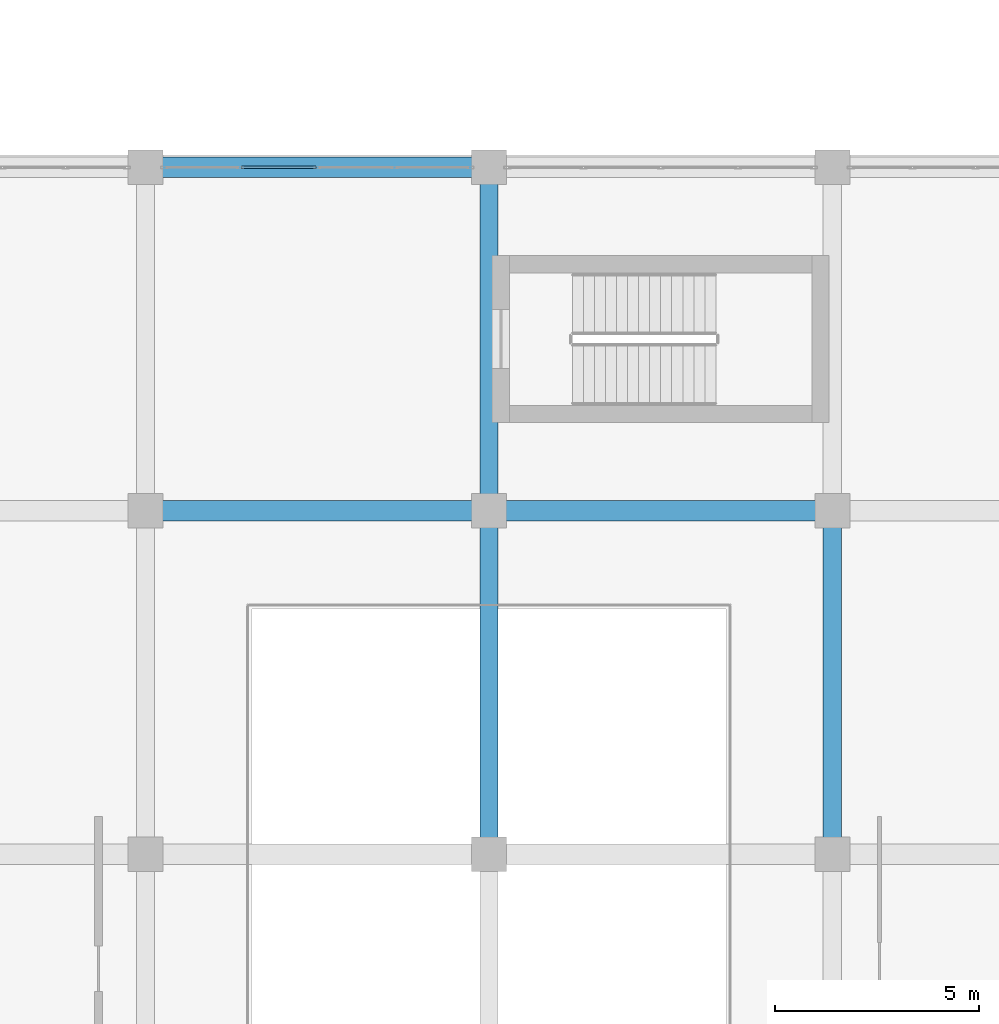
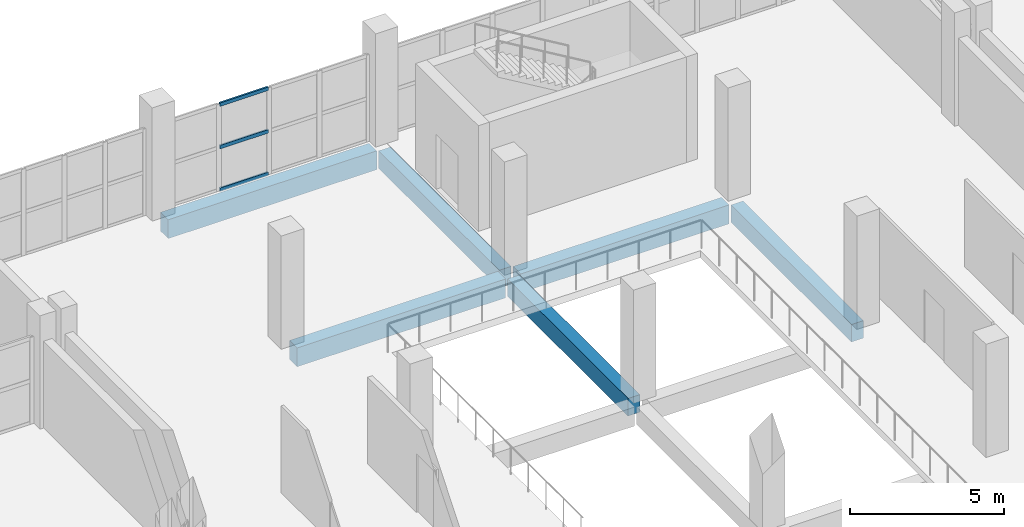
# One storey, part 68 of 137: 6 beams, 3 members, 1 element without a shape of its own.
"""IFC4 building model written with IfcOpenShell, lengths in metres."""

from ifc_helpers import new_model, si_unit, direction, frame, origin, origin_2d, place, context, subcontext, project, spatial, rectangle, hollow_rectangle, extrude, material, layer, layer_set, material_profile, profile_set, type_object, element, aggregate, save


model = new_model("IFC4")

# Units and contexts
model_context = context("Model", 3, precision=1e-05, world=origin(), true_north=direction((0.0, 1.0)))
body_context = subcontext(model_context, "Body", "Model", "MODEL_VIEW")
ifc_project = project(units=[si_unit("LENGTHUNIT", "METRE"), si_unit("AREAUNIT", "SQUARE_METRE"), si_unit("VOLUMEUNIT", "CUBIC_METRE"), si_unit("PLANEANGLEUNIT", "RADIAN"), si_unit("MASSUNIT", "GRAM", prefix="KILO")], contexts=[model_context])

# Site, building, storey
site_placement = place(None, origin())
site = spatial("IfcSite", under=ifc_project, at=site_placement, CompositionType="ELEMENT")
building_placement = place(site_placement, origin())
building = spatial("IfcBuilding", under=site, at=building_placement, Name="Xazarin Passage Department Store", CompositionType="ELEMENT")
storey_placement = place(building_placement, frame((0.0, 0.0, 5.39990234375)))
storey = spatial("IfcBuildingStorey", under=building, at=storey_placement, Name="L01", CompositionType="ELEMENT", Elevation=5.39990234375)

# Curtain wall, members
ifc_material_1 = material(Name="Bronze anodised aluminium", Category="aluminium")
ifc_layer = layer(ifc_material_1, 0.169921875)
ifc_layer_set = layer_set([ifc_layer], Name="Bronze anodised aluminium")
curtain_wall_type = type_object("IfcCurtainWallType", Name="ARC-CW-ARC2", PredefinedType="NOTDEFINED", material=ifc_layer_set)
curtain_wall_placement = place(storey_placement, origin())
curtain_wall = element("IfcCurtainWall", 1, at=curtain_wall_placement, inside=storey, type_object=curtain_wall_type, Name="L01 V2N Curtain Wall 111", PredefinedType="NOTDEFINED")
ifc_material_profile_1 = material_profile(ifc_material_1, hollow_rectangle(XDim=0.06494140625, YDim=0.139892578125, WallThickness=0.00390625, at=origin_2d()), Name="ALU 65x140")
ifc_profile_set_1 = profile_set([ifc_material_profile_1], Name="Bronze anodised aluminium")
member_type = type_object("IfcMemberType", Name="ARC-CWT-65x140", PredefinedType="USERDEFINED", material=ifc_profile_set_1)
member_1_placement = place(storey_placement, frame((78.7451171875, 93.199951171875, 0.03271484375), z_axis=(1.0, 0.0, 0.0), x_axis=(0.0, 1.0, 0.0)))
member_1 = element("IfcMember", 2, at=member_1_placement, type_object=member_type, Name="CW4 transom 2.1", ObjectType="TRANSOM", PredefinedType="USERDEFINED", context=body_context, shape_type="SweptSolid", body=[
    extrude(hollow_rectangle(XDim=0.06494140625, YDim=0.139892578125, WallThickness=0.00390625, at=origin_2d()), origin(), (0.0, 0.0, 1.0), 1.822265625),
])
member_2_placement = place(storey_placement, frame((78.7451171875, 93.199951171875, 1.72509765625), z_axis=(1.0, 0.0, 0.0), x_axis=(0.0, 1.0, 0.0)))
member_2 = element("IfcMember", 3, at=member_2_placement, type_object=member_type, Name="CW4 transom 2.2", ObjectType="TRANSOM", PredefinedType="USERDEFINED", context=body_context, shape_type="SweptSolid", body=[
    extrude(hollow_rectangle(XDim=0.06494140625, YDim=0.139892578125, WallThickness=0.00390625, at=origin_2d()), origin(), (0.0, 0.0, 1.0), 1.822265625),
])
member_3_placement = place(storey_placement, frame((78.7451171875, 93.199951171875, 3.41748046875), z_axis=(1.0, 0.0, 0.0), x_axis=(0.0, 1.0, 0.0)))
member_3 = element("IfcMember", 4, at=member_3_placement, type_object=member_type, Name="CW4 transom 2.3", ObjectType="TRANSOM", PredefinedType="USERDEFINED", context=body_context, shape_type="SweptSolid", body=[
    extrude(hollow_rectangle(XDim=0.06494140625, YDim=0.139892578125, WallThickness=0.00390625, at=origin_2d()), origin(), (0.0, 0.0, 1.0), 1.822265625),
])
aggregate(curtain_wall, [member_1, member_2, member_3])

# Beams
ifc_material_2 = material(Name="Concrete C35/45", Category="concrete")
ifc_material_profile_2 = material_profile(ifc_material_2, rectangle(XDim=0.449951171875, YDim=0.699951171875, at=origin_2d()), Name="RC 450x700")
ifc_profile_set_2 = profile_set([ifc_material_profile_2], Name="Concrete C35/45")
beam_type_1 = type_object("IfcBeamType", Name="STR-BM-G450x700", PredefinedType="BEAM", material=ifc_profile_set_2)
beam_1_placement = place(storey_placement, frame((84.800048828125, 76.679931640625, -0.64990234375), z_axis=(0.0, 1.0, 0.0), x_axis=(-1.0, 0.0, 0.0)))
element("IfcBeam", 5, at=beam_1_placement, inside=storey, type_object=beam_type_1, Name="L01 Grid Beam 12/L-M", PredefinedType="BEAM", context=body_context, shape_type="SweptSolid", body=[
    extrude(rectangle(XDim=0.449951171875, YDim=0.699951171875, at=origin_2d()), origin(), (0.0, 0.0, 1.0), 7.840087890625),
])
beam_2_placement = place(storey_placement, frame((84.800048828125, 85.080078125, -0.64990234375), z_axis=(0.0, 1.0, 0.0), x_axis=(-1.0, 0.0, 0.0)))
element("IfcBeam", 6, at=beam_2_placement, inside=storey, type_object=beam_type_1, Name="L01 Grid Beam 12/M-N", PredefinedType="BEAM", context=body_context, shape_type="SweptSolid", body=[
    extrude(rectangle(XDim=0.449951171875, YDim=0.699951171875, at=origin_2d()), origin(), (0.0, 0.0, 1.0), 7.83984375),
])
beam_3_placement = place(storey_placement, frame((93.199951171875, 76.679931640625, -0.64990234375), z_axis=(0.0, 1.0, 0.0), x_axis=(-1.0, 0.0, 0.0)))
element("IfcBeam", 7, at=beam_3_placement, inside=storey, type_object=beam_type_1, Name="L01 Grid Beam 13/L-M", PredefinedType="BEAM", context=body_context, shape_type="SweptSolid", body=[
    extrude(rectangle(XDim=0.449951171875, YDim=0.699951171875, at=origin_2d()), origin(), (0.0, 0.0, 1.0), 7.840087890625),
])
ifc_material_profile_3 = material_profile(ifc_material_2, rectangle(XDim=0.5, YDim=0.75, at=origin_2d()), Name="RC 500x750")
ifc_profile_set_3 = profile_set([ifc_material_profile_3], Name="Concrete C35/45")
beam_type_2 = type_object("IfcBeamType", Name="STR-BM-SP500x750", PredefinedType="SPANDREL", material=ifc_profile_set_3)
beam_4_placement = place(storey_placement, frame((76.679931640625, 84.800048828125, -0.6748046875), z_axis=(1.0, 0.0, 0.0), x_axis=(0.0, 1.0, 0.0)))
element("IfcBeam", 8, at=beam_4_placement, inside=storey, type_object=beam_type_2, Name="L01 Grid Beam M/11-12", PredefinedType="SPANDREL", context=body_context, shape_type="SweptSolid", body=[
    extrude(rectangle(XDim=0.5, YDim=0.75, at=origin_2d()), origin(), (0.0, 0.0, 1.0), 7.840087890625),
])
beam_5_placement = place(storey_placement, frame((85.080078125, 84.800048828125, -0.6748046875), z_axis=(1.0, 0.0, 0.0), x_axis=(0.0, 1.0, 0.0)))
element("IfcBeam", 9, at=beam_5_placement, inside=storey, type_object=beam_type_2, Name="L01 Grid Beam M/12-13", PredefinedType="SPANDREL", context=body_context, shape_type="SweptSolid", body=[
    extrude(rectangle(XDim=0.5, YDim=0.75, at=origin_2d()), origin(), (0.0, 0.0, 1.0), 7.83984375),
])
beam_6_placement = place(storey_placement, frame((76.679931640625, 93.199951171875, -0.6748046875), z_axis=(1.0, 0.0, 0.0), x_axis=(0.0, 1.0, 0.0)))
element("IfcBeam", 10, at=beam_6_placement, inside=storey, type_object=beam_type_2, Name="L01 Grid Beam N/11-12", PredefinedType="SPANDREL", context=body_context, shape_type="SweptSolid", body=[
    extrude(rectangle(XDim=0.5, YDim=0.75, at=origin_2d()), origin(), (0.0, 0.0, 1.0), 7.840087890625),
])

save(model, "model.ifc")
